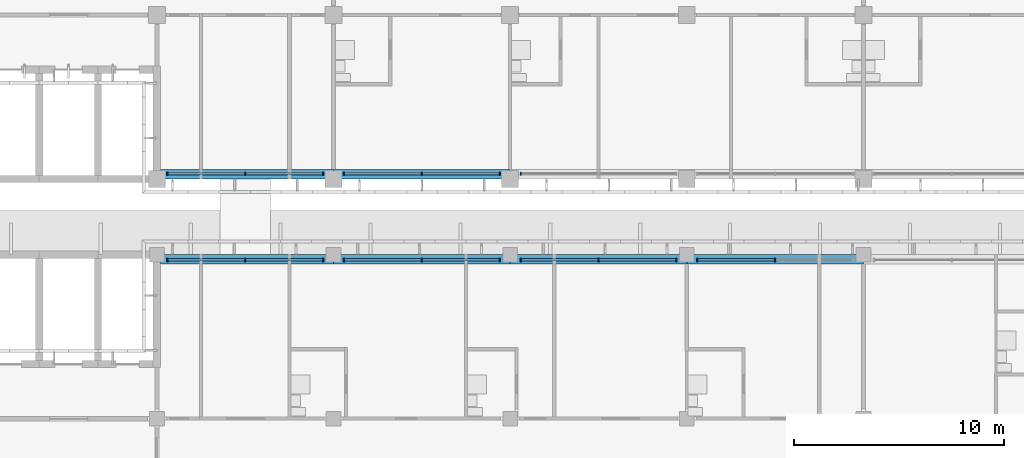
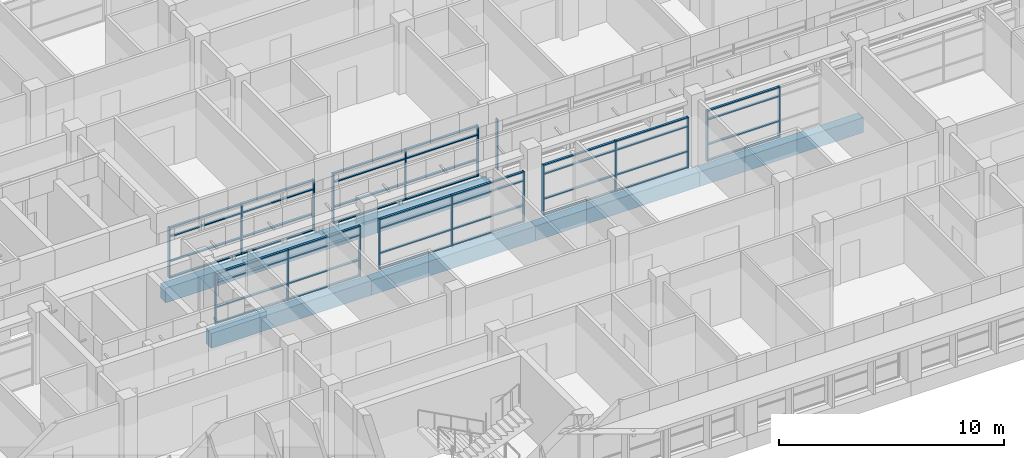
# One storey, part 7 of 71: 62 members, 6 beams, 7 elements without a shape of their own.
"""IFC4 building model written with IfcOpenShell, lengths in metres."""

import ifcopenshell
import ifcopenshell.guid

model = None  # the IFC model being written
_history = None  # IfcOwnerHistory: only IFC2X3 demands one
_inside = {}  # id of a spatial element -> (the spatial element, [elements in it])
_under = {}  # id of a project, library or spatial element -> (it, [spatial elements below it])
_declared = {}  # id of a project -> (the project, [libraries it declares])
_typed = {}  # id of a type object -> (the type object, [elements of that type])
_made_of = {}  # id of a material, layer set ... -> (it, [elements and type objects made of it])


def new_model(schema):
    """Start an empty IFC model of exactly this schema.

    Asked for "IFC4X3", IfcOpenShell would pick the latest addendum, in which some entities
    have other attributes; the version numbers below select the first issue.
    IFC2X3 requires an IfcOwnerHistory on every rooted entity: one is made here for all.
    """
    global model, _history
    if schema == "IFC4X3":
        model = ifcopenshell.file(schema_version=(4, 3, 0, 0))
    else:
        model = ifcopenshell.file(schema=schema)
    _inside.clear()
    _under.clear()
    _declared.clear()
    _typed.clear()
    _made_of.clear()
    _history = None
    if model.schema == "IFC2X3":
        org = make("IfcOrganization", Name="unknown")
        user = make(
            "IfcPersonAndOrganization",
            ThePerson=make("IfcPerson", FamilyName="unknown"),
            TheOrganization=org,
        )
        app = make(
            "IfcApplication",
            ApplicationDeveloper=org,
            Version="unknown",
            ApplicationFullName="unknown",
            ApplicationIdentifier="unknown",
        )
        _history = make(
            "IfcOwnerHistory",
            OwningUser=user,
            OwningApplication=app,
            ChangeAction="ADDED",
            CreationDate=0,
        )
    return model


def make(cls, **values):
    """One entity of the class cls with the attributes given. An attribute that is None is left unset."""
    return model.create_entity(
        cls, **{name: value for name, value in values.items() if value is not None}
    )


def rooted(cls, **values):
    """An entity with a GlobalId (a new one), such as an element, a storey or a relation."""
    return make(cls, GlobalId=ifcopenshell.guid.new(), OwnerHistory=_history, **values)


def si_unit(unit_type, name, prefix=None):
    """IfcSIUnit, for example si_unit("LENGTHUNIT", "METRE", prefix="MILLI")."""
    return make("IfcSIUnit", UnitType=unit_type, Prefix=prefix, Name=name)


def assignment(units):
    """IfcUnitAssignment: the units of a project."""
    return None if units is None else make("IfcUnitAssignment", Units=units)


def point(xyz):
    """IfcCartesianPoint."""
    return None if xyz is None else make("IfcCartesianPoint", Coordinates=xyz)


def direction(xyz):
    """IfcDirection."""
    return None if xyz is None else make("IfcDirection", DirectionRatios=xyz)


def frame(location, z_axis=None, x_axis=None):
    """IfcAxis2Placement3D, a coordinate frame: its origin and axes. An axis left out is left unset."""
    return make(
        "IfcAxis2Placement3D",
        Location=point(location),
        Axis=direction(z_axis),
        RefDirection=direction(x_axis),
    )


def frame_2d(location, x_axis=None):
    """IfcAxis2Placement2D, a coordinate frame in the plane: its origin and x axis."""
    return make(
        "IfcAxis2Placement2D", Location=point(location), RefDirection=direction(x_axis)
    )


def origin():
    """The frame at (0, 0, 0) with its axes left unset."""
    return frame((0.0, 0.0, 0.0))


def origin_2d():
    """The frame at (0, 0) in the plane with its x axis left unset."""
    return frame_2d((0.0, 0.0))


def place(relative_to, where):
    """IfcLocalPlacement: puts the frame where relative to a parent placement (None: the world)."""
    return make(
        "IfcLocalPlacement", PlacementRelTo=relative_to, RelativePlacement=where
    )


def context(
    kind, dimensions, precision=None, world=None, true_north=None, identifier=None
):
    """IfcGeometricRepresentationContext, for example the 3D "Model" context."""
    return make(
        "IfcGeometricRepresentationContext",
        ContextIdentifier=identifier,
        ContextType=kind,
        CoordinateSpaceDimension=dimensions,
        Precision=precision,
        WorldCoordinateSystem=world,
        TrueNorth=true_north,
    )


def subcontext(parent, identifier, kind, view, scale=None):
    """IfcGeometricRepresentationSubContext, for example "Body" below "Model"."""
    return make(
        "IfcGeometricRepresentationSubContext",
        ContextIdentifier=identifier,
        ContextType=kind,
        ParentContext=parent,
        TargetScale=scale,
        TargetView=view,
    )


def project(units=None, contexts=None):
    """IfcProject with its units and contexts."""
    return rooted(
        "IfcProject",
        Name="project",
        RepresentationContexts=contexts,
        UnitsInContext=assignment(units),
    )


def spatial(cls, under=None, at=None, **own):
    """A site, building, storey or space (cls), placed at a placement, below another one or the project."""
    s = rooted(cls, ObjectPlacement=at, **own)
    if under is not None:
        _under.setdefault(under.id(), (under, []))[1].append(s)
    return s


def profile(cls, at=None, kind="AREA", **sizes):
    """A parametric profile (cls). Its sizes go by their IFC names, for example OverallWidth=200.0."""
    return make(cls, ProfileType=kind, Position=at, **sizes)


def rectangle(**sizes):
    """IfcRectangleProfileDef."""
    return profile("IfcRectangleProfileDef", **sizes)


def extrude(swept, where, along, depth):
    """IfcExtrudedAreaSolid: the profile swept, set in the frame where, extruded along a direction by depth."""
    return make(
        "IfcExtrudedAreaSolid",
        SweptArea=swept,
        Position=where,
        ExtrudedDirection=direction(along),
        Depth=depth,
    )


def shape(context_of_items, identifier, shape_type, items):
    """IfcShapeRepresentation: the items that make up one representation, for example the "Body"."""
    return make(
        "IfcShapeRepresentation",
        ContextOfItems=context_of_items,
        RepresentationIdentifier=identifier,
        RepresentationType=shape_type,
        Items=items,
    )


def material(Name=None, Category=None):
    """IfcMaterial."""
    return make("IfcMaterial", Name=Name, Category=Category)


def material_profile(
    of_material, cross_section, Name=None, Category=None, Priority=None
):
    """IfcMaterialProfile: a cross section and its material."""
    return make(
        "IfcMaterialProfile",
        Name=Name,
        Material=of_material,
        Profile=cross_section,
        Priority=Priority,
        Category=Category,
    )


def profile_set(profiles, Name=None, composite=None):
    """IfcMaterialProfileSet."""
    return make(
        "IfcMaterialProfileSet",
        Name=Name,
        MaterialProfiles=profiles,
        CompositeProfile=composite,
    )


def made_of(thing, what):
    """Note that an element or type object is made of a material, layer set ...; save() writes the relation."""
    if what is not None:
        _made_of.setdefault(what.id(), (what, []))[1].append(thing)
    return thing


def type_object(cls, material=None, **own):
    """A type object (cls), such as IfcWallType, which elements share."""
    return made_of(rooted(cls, **own), material)


def element(
    cls,
    number,
    at=None,
    inside=None,
    cuts=None,
    type_object=None,
    material=None,
    context=None,
    identifier="Body",
    shape_type=None,
    held_by="IfcProductDefinitionShape",
    body=None,
    shapes=None,
    **own,
):
    """One element of the class cls, such as IfcWall. Its Tag is "e" and its number.

    at: its placement. inside: the storey or other place that contains it. cuts: it is an
    opening in that element (IfcRelVoidsElement). A single representation is given by context,
    identifier, shape_type and body (its items); several are given by shapes. held_by: the class
    of the entity that holds the representations. save() writes the other relations.
    """
    e = rooted(cls, Tag="e%d" % number, ObjectPlacement=at, **own)
    if body is not None:
        shapes = [shape(context, identifier, shape_type, body)]
    if shapes is not None:
        e.Representation = make(held_by, Representations=shapes)
    if inside is not None:
        _inside.setdefault(inside.id(), (inside, []))[1].append(e)
    if cuts is not None:
        rooted(
            "IfcRelVoidsElement", RelatingBuildingElement=cuts, RelatedOpeningElement=e
        )
    if type_object is not None:
        _typed.setdefault(type_object.id(), (type_object, []))[1].append(e)
    return made_of(e, material)


def aggregate(whole, parts):
    """IfcRelAggregates: a whole, such as a stair, and the parts it consists of."""
    return rooted("IfcRelAggregates", RelatingObject=whole, RelatedObjects=parts)


def save(model, path):
    """Write the relations noted so far, then the file.

    IfcRelAggregates (storeys below a building ...), IfcRelContainedInSpatialStructure (elements
    in a storey), IfcRelDefinesByType, IfcRelAssociatesMaterial and IfcRelDeclares: one each for
    every whole, place, type object, material and project.
    """
    for whole, parts in _under.values():
        aggregate(whole, parts)
    for where, things in _inside.values():
        rooted(
            "IfcRelContainedInSpatialStructure",
            RelatedElements=things,
            RelatingStructure=where,
        )
    for kind, things in _typed.values():
        rooted("IfcRelDefinesByType", RelatedObjects=things, RelatingType=kind)
    for what, things in _made_of.values():
        rooted("IfcRelAssociatesMaterial", RelatedObjects=things, RelatingMaterial=what)
    for by, libraries in _declared.values():
        rooted("IfcRelDeclares", RelatingContext=by, RelatedDefinitions=libraries)
    model.write(path)


model = new_model("IFC4")

# Units and contexts
model_context = context("Model", 3, precision=1e-05, world=origin(), true_north=direction((0.0, 1.0)))
body_context = subcontext(model_context, "Body", "Model", "MODEL_VIEW")
ifc_project = project(units=[si_unit("LENGTHUNIT", "METRE"), si_unit("AREAUNIT", "SQUARE_METRE"), si_unit("VOLUMEUNIT", "CUBIC_METRE"), si_unit("PLANEANGLEUNIT", "RADIAN"), si_unit("MASSUNIT", "GRAM", prefix="KILO")], contexts=[model_context])

# Site, building, storey
site_placement = place(None, origin())
site = spatial("IfcSite", under=ifc_project, at=site_placement, CompositionType="ELEMENT")
building_placement = place(site_placement, origin())
building = spatial("IfcBuilding", under=site, at=building_placement, Name="Bougainvillea Quay General Hospital", CompositionType="ELEMENT")
storey_placement = place(building_placement, frame((0.0, 0.0, 24.89990234375)))
storey = spatial("IfcBuildingStorey", under=building, at=storey_placement, Name="L05", CompositionType="ELEMENT", Elevation=24.89990234375)

# Curtain wall, members
ifc_material_1 = material(Name="Aluminium curtain wall system, powder-coated glazed", Category="aluminium")
curtain_wall_type = type_object("IfcCurtainWallType", Name="Unitised curtain wall CW-3730", PredefinedType="NOTDEFINED", material=ifc_material_1)
curtain_wall_1_placement = place(storey_placement, origin())
curtain_wall_1 = element("IfcCurtainWall", 1, at=curtain_wall_1_placement, inside=storey, type_object=curtain_wall_type, Name="CW-4200 00", PredefinedType="NOTDEFINED")
ifc_material_2 = material(Name="Aluminium mullion, powder-coated charcoal", Category="aluminium")
ifc_material_profile_1 = material_profile(ifc_material_2, rectangle(XDim=0.159912109375, YDim=0.06005859375, at=origin_2d()))
ifc_profile_set_1 = profile_set([ifc_material_profile_1], Name="Aluminium mullion, powder-coated charcoal")
member_type_1 = type_object("IfcMemberType", Name="Curtain wall mullion 160x60", PredefinedType="MULLION", material=ifc_profile_set_1)
member_1_placement = place(storey_placement, frame((76.10009765625, 140.64990234375, 0.0), z_axis=(0.0, 0.0, 1.0), x_axis=(0.0, 1.0, 0.0)))
member_1 = element("IfcMember", 2, at=member_1_placement, type_object=member_type_1, Name="CW-4200 mullion 1", PredefinedType="MULLION", context=body_context, shape_type="SweptSolid", body=[
    extrude(rectangle(XDim=0.159912109375, YDim=0.06005859375, at=origin_2d()), origin(), (0.0, 0.0, 1.0), 2.75),
])
member_2_placement = place(storey_placement, frame((79.800048828125, 140.64990234375, 0.0), z_axis=(0.0, 0.0, 1.0), x_axis=(0.0, 1.0, 0.0)))
member_2 = element("IfcMember", 3, at=member_2_placement, type_object=member_type_1, Name="CW-4200 mullion 2", PredefinedType="MULLION", context=body_context, shape_type="SweptSolid", body=[
    extrude(rectangle(XDim=0.159912109375, YDim=0.06005859375, at=origin_2d()), origin(), (0.0, 0.0, 1.0), 2.75),
])
member_3_placement = place(storey_placement, frame((83.5, 140.64990234375, 0.0), z_axis=(0.0, 0.0, 1.0), x_axis=(0.0, 1.0, 0.0)))
member_3 = element("IfcMember", 4, at=member_3_placement, type_object=member_type_1, Name="CW-4200 mullion 3", PredefinedType="MULLION", context=body_context, shape_type="SweptSolid", body=[
    extrude(rectangle(XDim=0.159912109375, YDim=0.06005859375, at=origin_2d()), origin(), (0.0, 0.0, 1.0), 2.75),
])

curtain_wall_2_placement = place(storey_placement, origin())
curtain_wall_2 = element("IfcCurtainWall", 5, at=curtain_wall_2_placement, inside=storey, type_object=curtain_wall_type, Name="CW-4200 01", PredefinedType="NOTDEFINED")
member_4_placement = place(storey_placement, frame((84.5, 140.64990234375, 0.0), z_axis=(0.0, 0.0, 1.0), x_axis=(0.0, 1.0, 0.0)))
member_4 = element("IfcMember", 6, at=member_4_placement, type_object=member_type_1, Name="CW-4200 mullion 1", PredefinedType="MULLION", context=body_context, shape_type="SweptSolid", body=[
    extrude(rectangle(XDim=0.159912109375, YDim=0.06005859375, at=origin_2d()), origin(), (0.0, 0.0, 1.0), 2.75),
])
member_5_placement = place(storey_placement, frame((88.199951171875, 140.64990234375, 0.0), z_axis=(0.0, 0.0, 1.0), x_axis=(0.0, 1.0, 0.0)))
member_5 = element("IfcMember", 7, at=member_5_placement, type_object=member_type_1, Name="CW-4200 mullion 2", PredefinedType="MULLION", context=body_context, shape_type="SweptSolid", body=[
    extrude(rectangle(XDim=0.159912109375, YDim=0.06005859375, at=origin_2d()), origin(), (0.0, 0.0, 1.0), 2.75),
])
member_6_placement = place(storey_placement, frame((91.89990234375, 140.64990234375, 0.0), z_axis=(0.0, 0.0, 1.0), x_axis=(0.0, 1.0, 0.0)))
member_6 = element("IfcMember", 8, at=member_6_placement, type_object=member_type_1, Name="CW-4200 mullion 3", PredefinedType="MULLION", context=body_context, shape_type="SweptSolid", body=[
    extrude(rectangle(XDim=0.159912109375, YDim=0.06005859375, at=origin_2d()), origin(), (0.0, 0.0, 1.0), 2.75),
])

# Curtain wall, member
curtain_wall_3_placement = place(storey_placement, origin())
curtain_wall_3 = element("IfcCurtainWall", 9, at=curtain_wall_3_placement, inside=storey, type_object=curtain_wall_type, Name="CW-4200 02", PredefinedType="NOTDEFINED")
member_7_placement = place(storey_placement, frame((92.89990234375, 140.64990234375, 0.0), z_axis=(0.0, 0.0, 1.0), x_axis=(0.0, 1.0, 0.0)))
member_7 = element("IfcMember", 10, at=member_7_placement, type_object=member_type_1, Name="CW-4200 mullion 1", PredefinedType="MULLION", context=body_context, shape_type="SweptSolid", body=[
    extrude(rectangle(XDim=0.159912109375, YDim=0.06005859375, at=origin_2d()), origin(), (0.0, 0.0, 1.0), 2.75),
])
aggregate(curtain_wall_3, [member_7])

# Curtain wall, members
curtain_wall_4_placement = place(storey_placement, origin())
curtain_wall_4 = element("IfcCurtainWall", 11, at=curtain_wall_4_placement, inside=storey, type_object=curtain_wall_type, Name="CW-4200 03", PredefinedType="NOTDEFINED")
member_8_placement = place(storey_placement, frame((105.0, 136.550048828125, 0.0), z_axis=(0.0, 0.0, 1.0), x_axis=(0.0, -1.0, 0.0)))
member_8 = element("IfcMember", 12, at=member_8_placement, type_object=member_type_1, Name="CW-4200 mullion 2", PredefinedType="MULLION", context=body_context, shape_type="SweptSolid", body=[
    extrude(rectangle(XDim=0.159912109375, YDim=0.06005859375, at=origin_2d()), origin(), (0.0, 0.0, 1.0), 2.75),
])
member_9_placement = place(storey_placement, frame((101.300048828125, 136.550048828125, 0.0), z_axis=(0.0, 0.0, 1.0), x_axis=(0.0, -1.0, 0.0)))
member_9 = element("IfcMember", 13, at=member_9_placement, type_object=member_type_1, Name="CW-4200 mullion 3", PredefinedType="MULLION", context=body_context, shape_type="SweptSolid", body=[
    extrude(rectangle(XDim=0.159912109375, YDim=0.06005859375, at=origin_2d()), origin(), (0.0, 0.0, 1.0), 2.75),
])

curtain_wall_5_placement = place(storey_placement, origin())
curtain_wall_5 = element("IfcCurtainWall", 14, at=curtain_wall_5_placement, inside=storey, type_object=curtain_wall_type, Name="CW-4200 04", PredefinedType="NOTDEFINED")
member_10_placement = place(storey_placement, frame((100.300048828125, 136.550048828125, 0.0), z_axis=(0.0, 0.0, 1.0), x_axis=(0.0, -1.0, 0.0)))
member_10 = element("IfcMember", 15, at=member_10_placement, type_object=member_type_1, Name="CW-4200 mullion 1", PredefinedType="MULLION", context=body_context, shape_type="SweptSolid", body=[
    extrude(rectangle(XDim=0.159912109375, YDim=0.06005859375, at=origin_2d()), origin(), (0.0, 0.0, 1.0), 2.75),
])
member_11_placement = place(storey_placement, frame((96.60009765625, 136.550048828125, 0.0), z_axis=(0.0, 0.0, 1.0), x_axis=(0.0, -1.0, 0.0)))
member_11 = element("IfcMember", 16, at=member_11_placement, type_object=member_type_1, Name="CW-4200 mullion 2", PredefinedType="MULLION", context=body_context, shape_type="SweptSolid", body=[
    extrude(rectangle(XDim=0.159912109375, YDim=0.06005859375, at=origin_2d()), origin(), (0.0, 0.0, 1.0), 2.75),
])
member_12_placement = place(storey_placement, frame((92.89990234375, 136.550048828125, 0.0), z_axis=(0.0, 0.0, 1.0), x_axis=(0.0, -1.0, 0.0)))
member_12 = element("IfcMember", 17, at=member_12_placement, type_object=member_type_1, Name="CW-4200 mullion 3", PredefinedType="MULLION", context=body_context, shape_type="SweptSolid", body=[
    extrude(rectangle(XDim=0.159912109375, YDim=0.06005859375, at=origin_2d()), origin(), (0.0, 0.0, 1.0), 2.75),
])

curtain_wall_6_placement = place(storey_placement, origin())
curtain_wall_6 = element("IfcCurtainWall", 18, at=curtain_wall_6_placement, inside=storey, type_object=curtain_wall_type, Name="CW-4200 05", PredefinedType="NOTDEFINED")
member_13_placement = place(storey_placement, frame((91.89990234375, 136.550048828125, 0.0), z_axis=(0.0, 0.0, 1.0), x_axis=(0.0, -1.0, 0.0)))
member_13 = element("IfcMember", 19, at=member_13_placement, type_object=member_type_1, Name="CW-4200 mullion 1", PredefinedType="MULLION", context=body_context, shape_type="SweptSolid", body=[
    extrude(rectangle(XDim=0.159912109375, YDim=0.06005859375, at=origin_2d()), origin(), (0.0, 0.0, 1.0), 2.75),
])
member_14_placement = place(storey_placement, frame((88.199951171875, 136.550048828125, 0.0), z_axis=(0.0, 0.0, 1.0), x_axis=(0.0, -1.0, 0.0)))
member_14 = element("IfcMember", 20, at=member_14_placement, type_object=member_type_1, Name="CW-4200 mullion 2", PredefinedType="MULLION", context=body_context, shape_type="SweptSolid", body=[
    extrude(rectangle(XDim=0.159912109375, YDim=0.06005859375, at=origin_2d()), origin(), (0.0, 0.0, 1.0), 2.75),
])
member_15_placement = place(storey_placement, frame((84.5, 136.550048828125, 0.0), z_axis=(0.0, 0.0, 1.0), x_axis=(0.0, -1.0, 0.0)))
member_15 = element("IfcMember", 21, at=member_15_placement, type_object=member_type_1, Name="CW-4200 mullion 3", PredefinedType="MULLION", context=body_context, shape_type="SweptSolid", body=[
    extrude(rectangle(XDim=0.159912109375, YDim=0.06005859375, at=origin_2d()), origin(), (0.0, 0.0, 1.0), 2.75),
])

curtain_wall_7_placement = place(storey_placement, origin())
curtain_wall_7 = element("IfcCurtainWall", 22, at=curtain_wall_7_placement, inside=storey, type_object=curtain_wall_type, Name="CW-4200 06", PredefinedType="NOTDEFINED")
member_16_placement = place(storey_placement, frame((83.5, 136.550048828125, 0.0), z_axis=(0.0, 0.0, 1.0), x_axis=(0.0, -1.0, 0.0)))
member_16 = element("IfcMember", 23, at=member_16_placement, type_object=member_type_1, Name="CW-4200 mullion 1", PredefinedType="MULLION", context=body_context, shape_type="SweptSolid", body=[
    extrude(rectangle(XDim=0.159912109375, YDim=0.06005859375, at=origin_2d()), origin(), (0.0, 0.0, 1.0), 2.75),
])
member_17_placement = place(storey_placement, frame((79.800048828125, 136.550048828125, 0.0), z_axis=(0.0, 0.0, 1.0), x_axis=(0.0, -1.0, 0.0)))
member_17 = element("IfcMember", 24, at=member_17_placement, type_object=member_type_1, Name="CW-4200 mullion 2", PredefinedType="MULLION", context=body_context, shape_type="SweptSolid", body=[
    extrude(rectangle(XDim=0.159912109375, YDim=0.06005859375, at=origin_2d()), origin(), (0.0, 0.0, 1.0), 2.75),
])
member_18_placement = place(storey_placement, frame((76.10009765625, 136.550048828125, 0.0), z_axis=(0.0, 0.0, 1.0), x_axis=(0.0, -1.0, 0.0)))
member_18 = element("IfcMember", 25, at=member_18_placement, type_object=member_type_1, Name="CW-4200 mullion 3", PredefinedType="MULLION", context=body_context, shape_type="SweptSolid", body=[
    extrude(rectangle(XDim=0.159912109375, YDim=0.06005859375, at=origin_2d()), origin(), (0.0, 0.0, 1.0), 2.75),
])

# Member
ifc_material_3 = material(Name="Aluminium transom, powder-coated charcoal", Category="aluminium")
ifc_material_profile_2 = material_profile(ifc_material_3, rectangle(XDim=0.1201171875, YDim=0.06005859375, at=origin_2d()))
ifc_profile_set_2 = profile_set([ifc_material_profile_2], Name="Aluminium transom, powder-coated charcoal")
member_type_2 = type_object("IfcMemberType", Name="Curtain wall transom 120x60", PredefinedType="USERDEFINED", material=ifc_profile_set_2)
member_19_placement = place(storey_placement, frame((76.1298828125, 140.64990234375, 0.030029296875), z_axis=(1.0, 0.0, 0.0), x_axis=(0.0, 1.0, 0.0)))
member_19 = element("IfcMember", 26, at=member_19_placement, type_object=member_type_2, Name="CW-4200 transom 1.1", ObjectType="TRANSOM", PredefinedType="USERDEFINED", context=body_context, shape_type="SweptSolid", body=[
    extrude(rectangle(XDim=0.1201171875, YDim=0.06005859375, at=origin_2d()), origin(), (0.0, 0.0, 1.0), 3.64013671875),
])

member_20_placement = place(storey_placement, frame((76.1298828125, 140.64990234375, 0.900146484375), z_axis=(1.0, 0.0, 0.0), x_axis=(0.0, 1.0, 0.0)))
member_20 = element("IfcMember", 27, at=member_20_placement, type_object=member_type_2, Name="CW-4200 transom 1.2", ObjectType="TRANSOM", PredefinedType="USERDEFINED", context=body_context, shape_type="SweptSolid", body=[
    extrude(rectangle(XDim=0.1201171875, YDim=0.06005859375, at=origin_2d()), origin(), (0.0, 0.0, 1.0), 3.64013671875),
])

member_21_placement = place(storey_placement, frame((76.1298828125, 140.64990234375, 2.25), z_axis=(1.0, 0.0, 0.0), x_axis=(0.0, 1.0, 0.0)))
member_21 = element("IfcMember", 28, at=member_21_placement, type_object=member_type_2, Name="CW-4200 transom 1.3", ObjectType="TRANSOM", PredefinedType="USERDEFINED", context=body_context, shape_type="SweptSolid", body=[
    extrude(rectangle(XDim=0.1201171875, YDim=0.06005859375, at=origin_2d()), origin(), (0.0, 0.0, 1.0), 3.64013671875),
])

member_22_placement = place(storey_placement, frame((76.1298828125, 140.64990234375, 2.72021484375), z_axis=(1.0, 0.0, 0.0), x_axis=(0.0, 1.0, 0.0)))
member_22 = element("IfcMember", 29, at=member_22_placement, type_object=member_type_2, Name="CW-4200 transom 1.4", ObjectType="TRANSOM", PredefinedType="USERDEFINED", context=body_context, shape_type="SweptSolid", body=[
    extrude(rectangle(XDim=0.1201171875, YDim=0.06005859375, at=origin_2d()), origin(), (0.0, 0.0, 1.0), 3.64013671875),
])

member_23_placement = place(storey_placement, frame((79.830078125, 140.64990234375, 0.030029296875), z_axis=(1.0, 0.0, 0.0), x_axis=(0.0, 1.0, 0.0)))
member_23 = element("IfcMember", 30, at=member_23_placement, type_object=member_type_2, Name="CW-4200 transom 2.1", ObjectType="TRANSOM", PredefinedType="USERDEFINED", context=body_context, shape_type="SweptSolid", body=[
    extrude(rectangle(XDim=0.1201171875, YDim=0.06005859375, at=origin_2d()), origin(), (0.0, 0.0, 1.0), 3.639892578125),
])

member_24_placement = place(storey_placement, frame((79.830078125, 140.64990234375, 0.900146484375), z_axis=(1.0, 0.0, 0.0), x_axis=(0.0, 1.0, 0.0)))
member_24 = element("IfcMember", 31, at=member_24_placement, type_object=member_type_2, Name="CW-4200 transom 2.2", ObjectType="TRANSOM", PredefinedType="USERDEFINED", context=body_context, shape_type="SweptSolid", body=[
    extrude(rectangle(XDim=0.1201171875, YDim=0.06005859375, at=origin_2d()), origin(), (0.0, 0.0, 1.0), 3.639892578125),
])

member_25_placement = place(storey_placement, frame((79.830078125, 140.64990234375, 2.25), z_axis=(1.0, 0.0, 0.0), x_axis=(0.0, 1.0, 0.0)))
member_25 = element("IfcMember", 32, at=member_25_placement, type_object=member_type_2, Name="CW-4200 transom 2.3", ObjectType="TRANSOM", PredefinedType="USERDEFINED", context=body_context, shape_type="SweptSolid", body=[
    extrude(rectangle(XDim=0.1201171875, YDim=0.06005859375, at=origin_2d()), origin(), (0.0, 0.0, 1.0), 3.639892578125),
])

member_26_placement = place(storey_placement, frame((79.830078125, 140.64990234375, 2.72021484375), z_axis=(1.0, 0.0, 0.0), x_axis=(0.0, 1.0, 0.0)))
member_26 = element("IfcMember", 33, at=member_26_placement, type_object=member_type_2, Name="CW-4200 transom 2.4", ObjectType="TRANSOM", PredefinedType="USERDEFINED", context=body_context, shape_type="SweptSolid", body=[
    extrude(rectangle(XDim=0.1201171875, YDim=0.06005859375, at=origin_2d()), origin(), (0.0, 0.0, 1.0), 3.639892578125),
])

aggregate(curtain_wall_1, [member_1, member_2, member_3, member_19, member_20, member_21, member_22, member_23, member_24, member_25, member_26])

member_27_placement = place(storey_placement, frame((84.530029296875, 140.64990234375, 0.030029296875), z_axis=(1.0, 0.0, 0.0), x_axis=(0.0, 1.0, 0.0)))
member_27 = element("IfcMember", 34, at=member_27_placement, type_object=member_type_2, Name="CW-4200 transom 1.1", ObjectType="TRANSOM", PredefinedType="USERDEFINED", context=body_context, shape_type="SweptSolid", body=[
    extrude(rectangle(XDim=0.1201171875, YDim=0.06005859375, at=origin_2d()), origin(), (0.0, 0.0, 1.0), 3.639892578125),
])

member_28_placement = place(storey_placement, frame((84.530029296875, 140.64990234375, 0.900146484375), z_axis=(1.0, 0.0, 0.0), x_axis=(0.0, 1.0, 0.0)))
member_28 = element("IfcMember", 35, at=member_28_placement, type_object=member_type_2, Name="CW-4200 transom 1.2", ObjectType="TRANSOM", PredefinedType="USERDEFINED", context=body_context, shape_type="SweptSolid", body=[
    extrude(rectangle(XDim=0.1201171875, YDim=0.06005859375, at=origin_2d()), origin(), (0.0, 0.0, 1.0), 3.639892578125),
])

member_29_placement = place(storey_placement, frame((84.530029296875, 140.64990234375, 2.25), z_axis=(1.0, 0.0, 0.0), x_axis=(0.0, 1.0, 0.0)))
member_29 = element("IfcMember", 36, at=member_29_placement, type_object=member_type_2, Name="CW-4200 transom 1.3", ObjectType="TRANSOM", PredefinedType="USERDEFINED", context=body_context, shape_type="SweptSolid", body=[
    extrude(rectangle(XDim=0.1201171875, YDim=0.06005859375, at=origin_2d()), origin(), (0.0, 0.0, 1.0), 3.639892578125),
])

member_30_placement = place(storey_placement, frame((84.530029296875, 140.64990234375, 2.72021484375), z_axis=(1.0, 0.0, 0.0), x_axis=(0.0, 1.0, 0.0)))
member_30 = element("IfcMember", 37, at=member_30_placement, type_object=member_type_2, Name="CW-4200 transom 1.4", ObjectType="TRANSOM", PredefinedType="USERDEFINED", context=body_context, shape_type="SweptSolid", body=[
    extrude(rectangle(XDim=0.1201171875, YDim=0.06005859375, at=origin_2d()), origin(), (0.0, 0.0, 1.0), 3.639892578125),
])

member_31_placement = place(storey_placement, frame((88.22998046875, 140.64990234375, 0.030029296875), z_axis=(1.0, 0.0, 0.0), x_axis=(0.0, 1.0, 0.0)))
member_31 = element("IfcMember", 38, at=member_31_placement, type_object=member_type_2, Name="CW-4200 transom 2.1", ObjectType="TRANSOM", PredefinedType="USERDEFINED", context=body_context, shape_type="SweptSolid", body=[
    extrude(rectangle(XDim=0.1201171875, YDim=0.06005859375, at=origin_2d()), origin(), (0.0, 0.0, 1.0), 3.64013671875),
])

member_32_placement = place(storey_placement, frame((88.22998046875, 140.64990234375, 0.900146484375), z_axis=(1.0, 0.0, 0.0), x_axis=(0.0, 1.0, 0.0)))
member_32 = element("IfcMember", 39, at=member_32_placement, type_object=member_type_2, Name="CW-4200 transom 2.2", ObjectType="TRANSOM", PredefinedType="USERDEFINED", context=body_context, shape_type="SweptSolid", body=[
    extrude(rectangle(XDim=0.1201171875, YDim=0.06005859375, at=origin_2d()), origin(), (0.0, 0.0, 1.0), 3.64013671875),
])

member_33_placement = place(storey_placement, frame((88.22998046875, 140.64990234375, 2.25), z_axis=(1.0, 0.0, 0.0), x_axis=(0.0, 1.0, 0.0)))
member_33 = element("IfcMember", 40, at=member_33_placement, type_object=member_type_2, Name="CW-4200 transom 2.3", ObjectType="TRANSOM", PredefinedType="USERDEFINED", context=body_context, shape_type="SweptSolid", body=[
    extrude(rectangle(XDim=0.1201171875, YDim=0.06005859375, at=origin_2d()), origin(), (0.0, 0.0, 1.0), 3.64013671875),
])

member_34_placement = place(storey_placement, frame((88.22998046875, 140.64990234375, 2.72021484375), z_axis=(1.0, 0.0, 0.0), x_axis=(0.0, 1.0, 0.0)))
member_34 = element("IfcMember", 41, at=member_34_placement, type_object=member_type_2, Name="CW-4200 transom 2.4", ObjectType="TRANSOM", PredefinedType="USERDEFINED", context=body_context, shape_type="SweptSolid", body=[
    extrude(rectangle(XDim=0.1201171875, YDim=0.06005859375, at=origin_2d()), origin(), (0.0, 0.0, 1.0), 3.64013671875),
])

aggregate(curtain_wall_2, [member_4, member_5, member_6, member_27, member_28, member_29, member_30, member_31, member_32, member_33, member_34])

member_35_placement = place(storey_placement, frame((104.969970703125, 136.550048828125, 0.030029296875), z_axis=(-1.0, 0.0, 0.0), x_axis=(0.0, -1.0, 0.0)))
member_35 = element("IfcMember", 42, at=member_35_placement, type_object=member_type_2, Name="CW-4200 transom 2.1", ObjectType="TRANSOM", PredefinedType="USERDEFINED", context=body_context, shape_type="SweptSolid", body=[
    extrude(rectangle(XDim=0.1201171875, YDim=0.06005859375, at=origin_2d()), origin(), (0.0, 0.0, 1.0), 3.639892578125),
])

member_36_placement = place(storey_placement, frame((104.969970703125, 136.550048828125, 0.900146484375), z_axis=(-1.0, 0.0, 0.0), x_axis=(0.0, -1.0, 0.0)))
member_36 = element("IfcMember", 43, at=member_36_placement, type_object=member_type_2, Name="CW-4200 transom 2.2", ObjectType="TRANSOM", PredefinedType="USERDEFINED", context=body_context, shape_type="SweptSolid", body=[
    extrude(rectangle(XDim=0.1201171875, YDim=0.06005859375, at=origin_2d()), origin(), (0.0, 0.0, 1.0), 3.639892578125),
])

member_37_placement = place(storey_placement, frame((104.969970703125, 136.550048828125, 2.25), z_axis=(-1.0, 0.0, 0.0), x_axis=(0.0, -1.0, 0.0)))
member_37 = element("IfcMember", 44, at=member_37_placement, type_object=member_type_2, Name="CW-4200 transom 2.3", ObjectType="TRANSOM", PredefinedType="USERDEFINED", context=body_context, shape_type="SweptSolid", body=[
    extrude(rectangle(XDim=0.1201171875, YDim=0.06005859375, at=origin_2d()), origin(), (0.0, 0.0, 1.0), 3.639892578125),
])

member_38_placement = place(storey_placement, frame((104.969970703125, 136.550048828125, 2.72021484375), z_axis=(-1.0, 0.0, 0.0), x_axis=(0.0, -1.0, 0.0)))
member_38 = element("IfcMember", 45, at=member_38_placement, type_object=member_type_2, Name="CW-4200 transom 2.4", ObjectType="TRANSOM", PredefinedType="USERDEFINED", context=body_context, shape_type="SweptSolid", body=[
    extrude(rectangle(XDim=0.1201171875, YDim=0.06005859375, at=origin_2d()), origin(), (0.0, 0.0, 1.0), 3.639892578125),
])

aggregate(curtain_wall_4, [member_8, member_9, member_35, member_36, member_37, member_38])

member_39_placement = place(storey_placement, frame((100.27001953125, 136.550048828125, 0.030029296875), z_axis=(-1.0, 0.0, 0.0), x_axis=(0.0, -1.0, 0.0)))
member_39 = element("IfcMember", 46, at=member_39_placement, type_object=member_type_2, Name="CW-4200 transom 1.1", ObjectType="TRANSOM", PredefinedType="USERDEFINED", context=body_context, shape_type="SweptSolid", body=[
    extrude(rectangle(XDim=0.1201171875, YDim=0.06005859375, at=origin_2d()), origin(), (0.0, 0.0, 1.0), 3.64013671875),
])

member_40_placement = place(storey_placement, frame((100.27001953125, 136.550048828125, 0.900146484375), z_axis=(-1.0, 0.0, 0.0), x_axis=(0.0, -1.0, 0.0)))
member_40 = element("IfcMember", 47, at=member_40_placement, type_object=member_type_2, Name="CW-4200 transom 1.2", ObjectType="TRANSOM", PredefinedType="USERDEFINED", context=body_context, shape_type="SweptSolid", body=[
    extrude(rectangle(XDim=0.1201171875, YDim=0.06005859375, at=origin_2d()), origin(), (0.0, 0.0, 1.0), 3.64013671875),
])

member_41_placement = place(storey_placement, frame((100.27001953125, 136.550048828125, 2.25), z_axis=(-1.0, 0.0, 0.0), x_axis=(0.0, -1.0, 0.0)))
member_41 = element("IfcMember", 48, at=member_41_placement, type_object=member_type_2, Name="CW-4200 transom 1.3", ObjectType="TRANSOM", PredefinedType="USERDEFINED", context=body_context, shape_type="SweptSolid", body=[
    extrude(rectangle(XDim=0.1201171875, YDim=0.06005859375, at=origin_2d()), origin(), (0.0, 0.0, 1.0), 3.64013671875),
])

member_42_placement = place(storey_placement, frame((100.27001953125, 136.550048828125, 2.72021484375), z_axis=(-1.0, 0.0, 0.0), x_axis=(0.0, -1.0, 0.0)))
member_42 = element("IfcMember", 49, at=member_42_placement, type_object=member_type_2, Name="CW-4200 transom 1.4", ObjectType="TRANSOM", PredefinedType="USERDEFINED", context=body_context, shape_type="SweptSolid", body=[
    extrude(rectangle(XDim=0.1201171875, YDim=0.06005859375, at=origin_2d()), origin(), (0.0, 0.0, 1.0), 3.64013671875),
])

member_43_placement = place(storey_placement, frame((96.570068359375, 136.550048828125, 0.030029296875), z_axis=(-1.0, 0.0, 0.0), x_axis=(0.0, -1.0, 0.0)))
member_43 = element("IfcMember", 50, at=member_43_placement, type_object=member_type_2, Name="CW-4200 transom 2.1", ObjectType="TRANSOM", PredefinedType="USERDEFINED", context=body_context, shape_type="SweptSolid", body=[
    extrude(rectangle(XDim=0.1201171875, YDim=0.06005859375, at=origin_2d()), origin(), (0.0, 0.0, 1.0), 3.64013671875),
])

member_44_placement = place(storey_placement, frame((96.570068359375, 136.550048828125, 0.900146484375), z_axis=(-1.0, 0.0, 0.0), x_axis=(0.0, -1.0, 0.0)))
member_44 = element("IfcMember", 51, at=member_44_placement, type_object=member_type_2, Name="CW-4200 transom 2.2", ObjectType="TRANSOM", PredefinedType="USERDEFINED", context=body_context, shape_type="SweptSolid", body=[
    extrude(rectangle(XDim=0.1201171875, YDim=0.06005859375, at=origin_2d()), origin(), (0.0, 0.0, 1.0), 3.64013671875),
])

member_45_placement = place(storey_placement, frame((96.570068359375, 136.550048828125, 2.25), z_axis=(-1.0, 0.0, 0.0), x_axis=(0.0, -1.0, 0.0)))
member_45 = element("IfcMember", 52, at=member_45_placement, type_object=member_type_2, Name="CW-4200 transom 2.3", ObjectType="TRANSOM", PredefinedType="USERDEFINED", context=body_context, shape_type="SweptSolid", body=[
    extrude(rectangle(XDim=0.1201171875, YDim=0.06005859375, at=origin_2d()), origin(), (0.0, 0.0, 1.0), 3.64013671875),
])

member_46_placement = place(storey_placement, frame((96.570068359375, 136.550048828125, 2.72021484375), z_axis=(-1.0, 0.0, 0.0), x_axis=(0.0, -1.0, 0.0)))
member_46 = element("IfcMember", 53, at=member_46_placement, type_object=member_type_2, Name="CW-4200 transom 2.4", ObjectType="TRANSOM", PredefinedType="USERDEFINED", context=body_context, shape_type="SweptSolid", body=[
    extrude(rectangle(XDim=0.1201171875, YDim=0.06005859375, at=origin_2d()), origin(), (0.0, 0.0, 1.0), 3.64013671875),
])

aggregate(curtain_wall_5, [member_10, member_11, member_12, member_39, member_40, member_41, member_42, member_43, member_44, member_45, member_46])

member_47_placement = place(storey_placement, frame((91.8701171875, 136.550048828125, 0.030029296875), z_axis=(-1.0, 0.0, 0.0), x_axis=(0.0, -1.0, 0.0)))
member_47 = element("IfcMember", 54, at=member_47_placement, type_object=member_type_2, Name="CW-4200 transom 1.1", ObjectType="TRANSOM", PredefinedType="USERDEFINED", context=body_context, shape_type="SweptSolid", body=[
    extrude(rectangle(XDim=0.1201171875, YDim=0.06005859375, at=origin_2d()), origin(), (0.0, 0.0, 1.0), 3.64013671875),
])

member_48_placement = place(storey_placement, frame((91.8701171875, 136.550048828125, 0.900146484375), z_axis=(-1.0, 0.0, 0.0), x_axis=(0.0, -1.0, 0.0)))
member_48 = element("IfcMember", 55, at=member_48_placement, type_object=member_type_2, Name="CW-4200 transom 1.2", ObjectType="TRANSOM", PredefinedType="USERDEFINED", context=body_context, shape_type="SweptSolid", body=[
    extrude(rectangle(XDim=0.1201171875, YDim=0.06005859375, at=origin_2d()), origin(), (0.0, 0.0, 1.0), 3.64013671875),
])

member_49_placement = place(storey_placement, frame((91.8701171875, 136.550048828125, 2.25), z_axis=(-1.0, 0.0, 0.0), x_axis=(0.0, -1.0, 0.0)))
member_49 = element("IfcMember", 56, at=member_49_placement, type_object=member_type_2, Name="CW-4200 transom 1.3", ObjectType="TRANSOM", PredefinedType="USERDEFINED", context=body_context, shape_type="SweptSolid", body=[
    extrude(rectangle(XDim=0.1201171875, YDim=0.06005859375, at=origin_2d()), origin(), (0.0, 0.0, 1.0), 3.64013671875),
])

member_50_placement = place(storey_placement, frame((91.8701171875, 136.550048828125, 2.72021484375), z_axis=(-1.0, 0.0, 0.0), x_axis=(0.0, -1.0, 0.0)))
member_50 = element("IfcMember", 57, at=member_50_placement, type_object=member_type_2, Name="CW-4200 transom 1.4", ObjectType="TRANSOM", PredefinedType="USERDEFINED", context=body_context, shape_type="SweptSolid", body=[
    extrude(rectangle(XDim=0.1201171875, YDim=0.06005859375, at=origin_2d()), origin(), (0.0, 0.0, 1.0), 3.64013671875),
])

member_51_placement = place(storey_placement, frame((88.169921875, 136.550048828125, 0.030029296875), z_axis=(-1.0, 0.0, 0.0), x_axis=(0.0, -1.0, 0.0)))
member_51 = element("IfcMember", 58, at=member_51_placement, type_object=member_type_2, Name="CW-4200 transom 2.1", ObjectType="TRANSOM", PredefinedType="USERDEFINED", context=body_context, shape_type="SweptSolid", body=[
    extrude(rectangle(XDim=0.1201171875, YDim=0.06005859375, at=origin_2d()), origin(), (0.0, 0.0, 1.0), 3.639892578125),
])

member_52_placement = place(storey_placement, frame((88.169921875, 136.550048828125, 0.900146484375), z_axis=(-1.0, 0.0, 0.0), x_axis=(0.0, -1.0, 0.0)))
member_52 = element("IfcMember", 59, at=member_52_placement, type_object=member_type_2, Name="CW-4200 transom 2.2", ObjectType="TRANSOM", PredefinedType="USERDEFINED", context=body_context, shape_type="SweptSolid", body=[
    extrude(rectangle(XDim=0.1201171875, YDim=0.06005859375, at=origin_2d()), origin(), (0.0, 0.0, 1.0), 3.639892578125),
])

member_53_placement = place(storey_placement, frame((88.169921875, 136.550048828125, 2.25), z_axis=(-1.0, 0.0, 0.0), x_axis=(0.0, -1.0, 0.0)))
member_53 = element("IfcMember", 60, at=member_53_placement, type_object=member_type_2, Name="CW-4200 transom 2.3", ObjectType="TRANSOM", PredefinedType="USERDEFINED", context=body_context, shape_type="SweptSolid", body=[
    extrude(rectangle(XDim=0.1201171875, YDim=0.06005859375, at=origin_2d()), origin(), (0.0, 0.0, 1.0), 3.639892578125),
])

member_54_placement = place(storey_placement, frame((88.169921875, 136.550048828125, 2.72021484375), z_axis=(-1.0, 0.0, 0.0), x_axis=(0.0, -1.0, 0.0)))
member_54 = element("IfcMember", 61, at=member_54_placement, type_object=member_type_2, Name="CW-4200 transom 2.4", ObjectType="TRANSOM", PredefinedType="USERDEFINED", context=body_context, shape_type="SweptSolid", body=[
    extrude(rectangle(XDim=0.1201171875, YDim=0.06005859375, at=origin_2d()), origin(), (0.0, 0.0, 1.0), 3.639892578125),
])

aggregate(curtain_wall_6, [member_13, member_14, member_15, member_47, member_48, member_49, member_50, member_51, member_52, member_53, member_54])

member_55_placement = place(storey_placement, frame((83.469970703125, 136.550048828125, 0.030029296875), z_axis=(-1.0, 0.0, 0.0), x_axis=(0.0, -1.0, 0.0)))
member_55 = element("IfcMember", 62, at=member_55_placement, type_object=member_type_2, Name="CW-4200 transom 1.1", ObjectType="TRANSOM", PredefinedType="USERDEFINED", context=body_context, shape_type="SweptSolid", body=[
    extrude(rectangle(XDim=0.1201171875, YDim=0.06005859375, at=origin_2d()), origin(), (0.0, 0.0, 1.0), 3.639892578125),
])

member_56_placement = place(storey_placement, frame((83.469970703125, 136.550048828125, 0.900146484375), z_axis=(-1.0, 0.0, 0.0), x_axis=(0.0, -1.0, 0.0)))
member_56 = element("IfcMember", 63, at=member_56_placement, type_object=member_type_2, Name="CW-4200 transom 1.2", ObjectType="TRANSOM", PredefinedType="USERDEFINED", context=body_context, shape_type="SweptSolid", body=[
    extrude(rectangle(XDim=0.1201171875, YDim=0.06005859375, at=origin_2d()), origin(), (0.0, 0.0, 1.0), 3.639892578125),
])

member_57_placement = place(storey_placement, frame((83.469970703125, 136.550048828125, 2.25), z_axis=(-1.0, 0.0, 0.0), x_axis=(0.0, -1.0, 0.0)))
member_57 = element("IfcMember", 64, at=member_57_placement, type_object=member_type_2, Name="CW-4200 transom 1.3", ObjectType="TRANSOM", PredefinedType="USERDEFINED", context=body_context, shape_type="SweptSolid", body=[
    extrude(rectangle(XDim=0.1201171875, YDim=0.06005859375, at=origin_2d()), origin(), (0.0, 0.0, 1.0), 3.639892578125),
])

member_58_placement = place(storey_placement, frame((83.469970703125, 136.550048828125, 2.72021484375), z_axis=(-1.0, 0.0, 0.0), x_axis=(0.0, -1.0, 0.0)))
member_58 = element("IfcMember", 65, at=member_58_placement, type_object=member_type_2, Name="CW-4200 transom 1.4", ObjectType="TRANSOM", PredefinedType="USERDEFINED", context=body_context, shape_type="SweptSolid", body=[
    extrude(rectangle(XDim=0.1201171875, YDim=0.06005859375, at=origin_2d()), origin(), (0.0, 0.0, 1.0), 3.639892578125),
])

member_59_placement = place(storey_placement, frame((79.77001953125, 136.550048828125, 0.030029296875), z_axis=(-1.0, 0.0, 0.0), x_axis=(0.0, -1.0, 0.0)))
member_59 = element("IfcMember", 66, at=member_59_placement, type_object=member_type_2, Name="CW-4200 transom 2.1", ObjectType="TRANSOM", PredefinedType="USERDEFINED", context=body_context, shape_type="SweptSolid", body=[
    extrude(rectangle(XDim=0.1201171875, YDim=0.06005859375, at=origin_2d()), origin(), (0.0, 0.0, 1.0), 3.64013671875),
])

member_60_placement = place(storey_placement, frame((79.77001953125, 136.550048828125, 0.900146484375), z_axis=(-1.0, 0.0, 0.0), x_axis=(0.0, -1.0, 0.0)))
member_60 = element("IfcMember", 67, at=member_60_placement, type_object=member_type_2, Name="CW-4200 transom 2.2", ObjectType="TRANSOM", PredefinedType="USERDEFINED", context=body_context, shape_type="SweptSolid", body=[
    extrude(rectangle(XDim=0.1201171875, YDim=0.06005859375, at=origin_2d()), origin(), (0.0, 0.0, 1.0), 3.64013671875),
])

member_61_placement = place(storey_placement, frame((79.77001953125, 136.550048828125, 2.25), z_axis=(-1.0, 0.0, 0.0), x_axis=(0.0, -1.0, 0.0)))
member_61 = element("IfcMember", 68, at=member_61_placement, type_object=member_type_2, Name="CW-4200 transom 2.3", ObjectType="TRANSOM", PredefinedType="USERDEFINED", context=body_context, shape_type="SweptSolid", body=[
    extrude(rectangle(XDim=0.1201171875, YDim=0.06005859375, at=origin_2d()), origin(), (0.0, 0.0, 1.0), 3.64013671875),
])

member_62_placement = place(storey_placement, frame((79.77001953125, 136.550048828125, 2.72021484375), z_axis=(-1.0, 0.0, 0.0), x_axis=(0.0, -1.0, 0.0)))
member_62 = element("IfcMember", 69, at=member_62_placement, type_object=member_type_2, Name="CW-4200 transom 2.4", ObjectType="TRANSOM", PredefinedType="USERDEFINED", context=body_context, shape_type="SweptSolid", body=[
    extrude(rectangle(XDim=0.1201171875, YDim=0.06005859375, at=origin_2d()), origin(), (0.0, 0.0, 1.0), 3.64013671875),
])

aggregate(curtain_wall_7, [member_16, member_17, member_18, member_55, member_56, member_57, member_58, member_59, member_60, member_61, member_62])

# Beams
ifc_material_4 = material(Name="Concrete C40", Category="concrete")
ifc_material_profile_3 = material_profile(ifc_material_4, rectangle(XDim=0.449951171875, YDim=0.800048828125, at=origin_2d()))
ifc_profile_set_3 = profile_set([ifc_material_profile_3], Name="Concrete C40")
beam_type = type_object("IfcBeamType", Name="RC BEAM 450x800 C40", PredefinedType="BEAM", material=ifc_profile_set_3)
beam_1_placement = place(storey_placement, frame((75.77490234375, 140.625, -0.699951171875), z_axis=(1.0, 0.0, 0.0), x_axis=(0.0, 1.0, 0.0)))
element("IfcBeam", 70, at=beam_1_placement, inside=storey, type_object=beam_type, Name="Edge beam L05", PredefinedType="BEAM", context=body_context, shape_type="SweptSolid", body=[
    extrude(rectangle(XDim=0.449951171875, YDim=0.800048828125, at=origin_2d()), origin(), (0.0, 0.0, 1.0), 8.22509765625),
])
for number, where, z_axis, x_axis, name in (
    (71, (84.0, 140.625, -0.699951171875), (1.0, 0.0, 0.0), (0.0, 1.0, 0.0), "Edge beam L05"),
    (72, (109.199951171875, 136.574951171875, -0.699951171875), (-1.0, 0.0, 0.0), (0.0, -1.0, 0.0), "Edge beam L05"),
):
    element("IfcBeam", number, at=place(storey_placement, frame(where, z_axis=z_axis, x_axis=x_axis)), inside=storey, type_object=beam_type, Name=name, PredefinedType="BEAM", context=body_context, shape_type="SweptSolid", body=[
        extrude(rectangle(XDim=0.449951171875, YDim=0.800048828125, at=origin_2d()), origin(), (0.0, 0.0, 1.0), 8.39990234375),
    ])
beam_2_placement = place(storey_placement, frame((100.800048828125, 136.574951171875, -0.699951171875), z_axis=(-1.0, 0.0, 0.0), x_axis=(0.0, -1.0, 0.0)))
element("IfcBeam", 73, at=beam_2_placement, inside=storey, type_object=beam_type, Name="Edge beam L05", PredefinedType="BEAM", context=body_context, shape_type="SweptSolid", body=[
    extrude(rectangle(XDim=0.449951171875, YDim=0.800048828125, at=origin_2d()), origin(), (0.0, 0.0, 1.0), 8.400146484375),
])
beam_3_placement = place(storey_placement, frame((92.39990234375, 136.574951171875, -0.699951171875), z_axis=(-1.0, 0.0, 0.0), x_axis=(0.0, -1.0, 0.0)))
element("IfcBeam", 74, at=beam_3_placement, inside=storey, type_object=beam_type, Name="Edge beam L05", PredefinedType="BEAM", context=body_context, shape_type="SweptSolid", body=[
    extrude(rectangle(XDim=0.449951171875, YDim=0.800048828125, at=origin_2d()), origin(), (0.0, 0.0, 1.0), 8.39990234375),
])
beam_4_placement = place(storey_placement, frame((84.0, 136.574951171875, -0.699951171875), z_axis=(-1.0, 0.0, 0.0), x_axis=(0.0, -1.0, 0.0)))
element("IfcBeam", 75, at=beam_4_placement, inside=storey, type_object=beam_type, Name="Edge beam L05", PredefinedType="BEAM", context=body_context, shape_type="SweptSolid", body=[
    extrude(rectangle(XDim=0.449951171875, YDim=0.800048828125, at=origin_2d()), origin(), (0.0, 0.0, 1.0), 8.22509765625),
])

save(model, "model.ifc")
